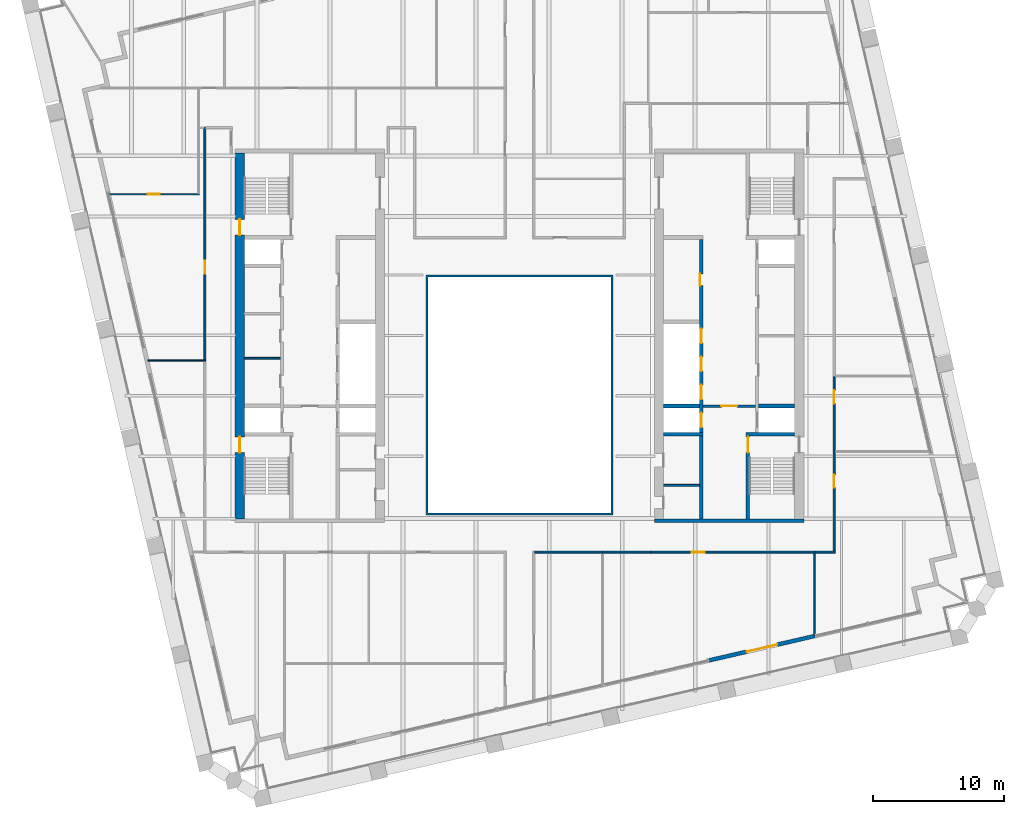
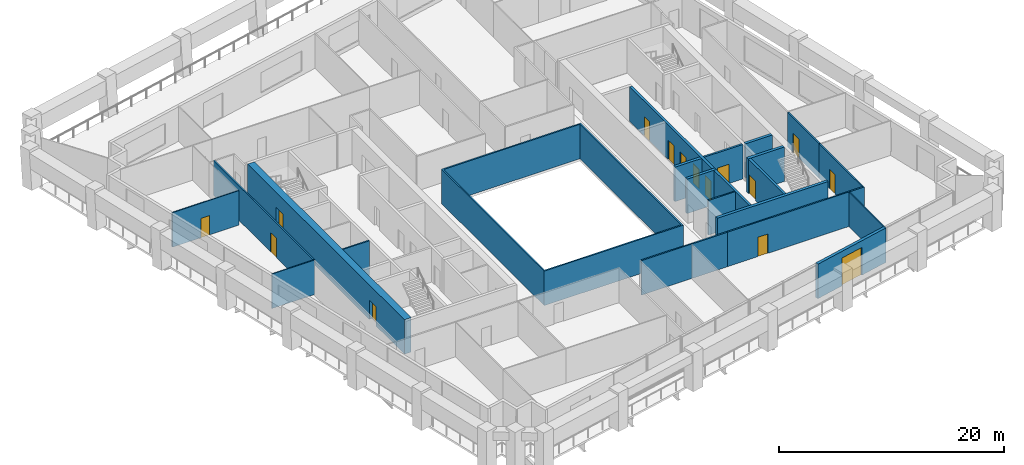
# One storey, part 8 of 14: 23 walls, 15 doors, 15 openings.
"""IFC4 building model written with IfcOpenShell, lengths in metres."""

from ifc_helpers import new_model, si_unit, direction, frame, frame_2d, origin, place, context, subcontext, project, spatial, polyline, rectangle, outline, extrude, material, layer, layer_set, type_object, element, fill, save


model = new_model("IFC4")

# Units and contexts
model_context = context("Model", 3, precision=1e-05, world=origin(), true_north=direction((0.0, 1.0)))
body_context = subcontext(model_context, "Body", "Model", "MODEL_VIEW")
ifc_project = project(units=[si_unit("LENGTHUNIT", "METRE"), si_unit("AREAUNIT", "SQUARE_METRE"), si_unit("VOLUMEUNIT", "CUBIC_METRE"), si_unit("PLANEANGLEUNIT", "RADIAN"), si_unit("MASSUNIT", "GRAM", prefix="KILO")], contexts=[model_context])

# Site, building, storey
site_placement = place(None, origin())
site = spatial("IfcSite", under=ifc_project, at=site_placement, CompositionType="ELEMENT")
building_placement = place(site_placement, origin())
building = spatial("IfcBuilding", under=site, at=building_placement, Name="Ogive Exchange Tower", CompositionType="ELEMENT")
storey_placement = place(building_placement, frame((0.0, 0.0, 222.0)))
storey = spatial("IfcBuildingStorey", under=building, at=storey_placement, Name="L49", CompositionType="ELEMENT", Elevation=222.0)

# Walls
ifc_material_1 = material(Name="Gypsum board partition")
ifc_layer_1 = layer(ifc_material_1, 0.14990234375)
ifc_layer_set_1 = layer_set([ifc_layer_1], Name="Core room partition 150 gypsum")
wall_type_1 = type_object("IfcWallType", Name="Core room partition 150 gypsum", PredefinedType="PARTITIONING", material=ifc_layer_set_1)
for number, where, z_axis, x_axis, name in (
    (1, (-21.0, 9.800048828125, 0.0), (0.0, 0.0, 1.0), (1.0, 0.0, 0.0), "W row A bay partition 1-1"),
    (2, (11.0, 0.10009765625, 0.0), (0.0, 0.0, 1.0), (1.0, 0.0, 0.0), "E south room partition"),
):
    element("IfcWall", number, at=place(storey_placement, frame(where, z_axis=z_axis, x_axis=x_axis)), inside=storey, type_object=wall_type_1, Name=name, PredefinedType="PARTITIONING", context=body_context, shape_type="SweptSolid", body=[
        extrude(rectangle(XDim=2.75, YDim=0.14990234375, at=frame_2d((1.375, 0.0))), origin(), (0.0, 0.0, 1.0), 3.75),
    ])

# Wall, opening, door
ifc_material_2 = material(Name="Fire partition EI 60 150")
ifc_layer_2 = layer(ifc_material_2, 0.14990234375)
ifc_layer_set_2 = layer_set([ifc_layer_2], Name="Fire partition EI 60 150")
wall_type_2 = type_object("IfcWallType", Name="Fire partition EI 60 150", PredefinedType="PARTITIONING", material=ifc_layer_set_2)
wall_1_placement = place(storey_placement, frame((-24.0, 9.669921875, 0.0), z_axis=(0.0, 0.0, 1.0), x_axis=(0.0, 1.0, 0.0)))
wall_1 = element("IfcWall", 3, at=wall_1_placement, inside=storey, type_object=wall_type_2, Name="L49-PWL-008", PredefinedType="PARTITIONING", context=body_context, shape_type="SweptSolid", body=[
    extrude(rectangle(XDim=17.77001953125, YDim=0.14990234375, at=frame_2d((8.885009765625, 0.0))), origin(), (0.0, 0.0, 1.0), 3.75),
])
opening_1_placement = place(wall_1_placement, frame((6.570068359375, 0.0, 0.0)))
opening_1 = element("IfcOpeningElement", 4, at=opening_1_placement, cuts=wall_1, Name="Opening L49-I07", PredefinedType="OPENING", context=body_context, shape_type="SweptSolid", body=[
    extrude(rectangle(XDim=1.0, YDim=2.10009765625, at=frame_2d((0.5, 1.050048828125))), frame((0.0, 0.0849609375, 0.0), z_axis=(0.0, -1.0, 0.0), x_axis=(1.0, 0.0, 0.0)), (0.0, 0.0, 1.0), 0.169921875),
])
ifc_material_3 = material(Name="Fire door FD 30S 1000 x 2100")
door_type_1 = type_object("IfcDoorType", Name="Fire door FD 30S 1000 x 2100", OperationType="NOTDEFINED", PredefinedType="DOOR", material=ifc_material_3)
door_1_placement = place(opening_1_placement, origin())
door_1 = element("IfcDoor", 5, at=door_1_placement, inside=storey, type_object=door_type_1, Name="L49-IDR-007", ObjectType="DT3", OperationType="SINGLE_SWING_LEFT", OverallHeight=2.10009765625, OverallWidth=1.0, PredefinedType="DOOR", context=body_context, shape_type="SweptSolid", body=[
    extrude(rectangle(XDim=1.0, YDim=2.10009765625, at=frame_2d((0.5, 1.050048828125))), frame((0.0, 0.02490234375, 0.0), z_axis=(0.0, -1.0, 0.0), x_axis=(1.0, 0.0, 0.0)), (0.0, 0.0, 1.0), 0.050048828125),
])
fill(opening_1, door_1)

# Walls
wall_2_placement = place(storey_placement, frame((6.389892578125, -5.0, 0.0), z_axis=(0.0, 0.0, 1.0), x_axis=(-1.0, 0.0, 0.0)))
element("IfcWall", 6, at=wall_2_placement, inside=storey, type_object=wall_type_2, Name="L49-PWL-041", PredefinedType="PARTITIONING", context=body_context, shape_type="SweptSolid", body=[
    extrude(rectangle(XDim=5.21484375, YDim=0.14990234375, at=frame_2d((2.607421875, 0.0))), origin(), (0.0, 0.0, 1.0), 3.75),
])
wall_3_placement = place(storey_placement, frame((10.0, -5.0, 0.0), z_axis=(0.0, 0.0, 1.0), x_axis=(-1.0, 0.0, 0.0)))
element("IfcWall", 7, at=wall_3_placement, inside=storey, type_object=wall_type_2, Name="L49-PWL-052", PredefinedType="PARTITIONING", context=body_context, shape_type="SweptSolid", body=[
    extrude(rectangle(XDim=3.659912109375, YDim=0.14990234375, at=frame_2d((1.830078125, 0.0))), origin(), (0.0, 0.0, 1.0), 3.75),
])

# Wall, opening, door
wall_4_placement = place(storey_placement, frame((22.570068359375, -5.0, 0.0), z_axis=(0.0, 0.0, 1.0), x_axis=(-1.0, 0.0, 0.0)))
wall_4 = element("IfcWall", 8, at=wall_4_placement, inside=storey, type_object=wall_type_2, Name="L49-PWL-059", PredefinedType="PARTITIONING", context=body_context, shape_type="SweptSolid", body=[
    extrude(rectangle(XDim=12.570068359375, YDim=0.14990234375, at=frame_2d((6.28515625, 0.0))), origin(), (0.0, 0.0, 1.0), 3.75),
])
opening_2_placement = place(wall_4_placement, frame((8.419921875, 0.0, 0.0)))
opening_2 = element("IfcOpeningElement", 9, at=opening_2_placement, cuts=wall_4, Name="Opening L49-I18", PredefinedType="OPENING", context=body_context, shape_type="SweptSolid", body=[
    extrude(rectangle(XDim=1.0, YDim=2.10009765625, at=frame_2d((0.5, 1.050048828125))), frame((0.0, 0.0849609375, 0.0), z_axis=(0.0, -1.0, 0.0), x_axis=(1.0, 0.0, 0.0)), (0.0, 0.0, 1.0), 0.169921875),
])
door_2_placement = place(opening_2_placement, origin())
door_2 = element("IfcDoor", 10, at=door_2_placement, inside=storey, type_object=door_type_1, Name="L49-IDR-018", ObjectType="DT3", OperationType="SINGLE_SWING_LEFT", OverallHeight=2.10009765625, OverallWidth=1.0, PredefinedType="DOOR", context=body_context, shape_type="SweptSolid", body=[
    extrude(rectangle(XDim=1.0, YDim=2.10009765625, at=frame_2d((0.5, 1.050048828125))), frame((0.0, 0.02490234375, 0.0), z_axis=(0.0, -1.0, 0.0), x_axis=(1.0, 0.0, 0.0)), (0.0, 0.0, 1.0), 0.050048828125),
])
fill(opening_2, door_2)

# Wall
wall_5_placement = place(storey_placement, frame((24.074951171875, -5.0, 0.0), z_axis=(0.0, 0.0, 1.0), x_axis=(-1.0, 0.0, 0.0)))
element("IfcWall", 11, at=wall_5_placement, inside=storey, type_object=wall_type_2, Name="L49-PWL-061", PredefinedType="PARTITIONING", context=body_context, shape_type="SweptSolid", body=[
    extrude(rectangle(XDim=1.5048828125, YDim=0.14990234375, at=frame_2d((0.75244140625, 0.0))), origin(), (0.0, 0.0, 1.0), 3.75),
])

# Wall, opening, door
wall_6_placement = place(storey_placement, frame((24.0, 2.739990234375, 0.0), z_axis=(0.0, 0.0, 1.0), x_axis=(0.0, -1.0, 0.0)))
wall_6 = element("IfcWall", 12, at=wall_6_placement, inside=storey, type_object=wall_type_2, Name="L49-PWL-062", PredefinedType="PARTITIONING", context=body_context, shape_type="SweptSolid", body=[
    extrude(rectangle(XDim=7.6650390625, YDim=0.14990234375, at=frame_2d((3.83251953125, 0.0))), origin(), (0.0, 0.0, 1.0), 3.75),
])
opening_3_placement = place(wall_6_placement, frame((1.840087890625, 0.0, 0.0)))
opening_3 = element("IfcOpeningElement", 13, at=opening_3_placement, cuts=wall_6, Name="Opening L49-I19", PredefinedType="OPENING", context=body_context, shape_type="SweptSolid", body=[
    extrude(rectangle(XDim=1.0, YDim=2.10009765625, at=frame_2d((0.5, 1.050048828125))), frame((0.0, 0.0849609375, 0.0), z_axis=(0.0, -1.0, 0.0), x_axis=(1.0, 0.0, 0.0)), (0.0, 0.0, 1.0), 0.169921875),
])
door_3_placement = place(opening_3_placement, origin())
door_3 = element("IfcDoor", 14, at=door_3_placement, inside=storey, type_object=door_type_1, Name="L49-IDR-019", ObjectType="DT3", OperationType="SINGLE_SWING_RIGHT", OverallHeight=2.10009765625, OverallWidth=1.0, PredefinedType="DOOR", context=body_context, shape_type="SweptSolid", body=[
    extrude(rectangle(XDim=1.0, YDim=2.10009765625, at=frame_2d((0.5, 1.050048828125))), frame((0.0, 0.02490234375, 0.0), z_axis=(0.0, -1.0, 0.0), x_axis=(1.0, 0.0, 0.0)), (0.0, 0.0, 1.0), 0.050048828125),
])
fill(opening_3, door_3)

wall_7_placement = place(storey_placement, frame((24.0, 8.39990234375, 0.0), z_axis=(0.0, 0.0, 1.0), x_axis=(0.0, -1.0, 0.0)))
wall_7 = element("IfcWall", 15, at=wall_7_placement, inside=storey, type_object=wall_type_2, Name="L49-PWL-063", PredefinedType="PARTITIONING", context=body_context, shape_type="SweptSolid", body=[
    extrude(rectangle(XDim=5.659912109375, YDim=0.14990234375, at=frame_2d((2.830078125, 0.0))), origin(), (0.0, 0.0, 1.0), 3.75),
])
opening_4_placement = place(wall_7_placement, frame((1.06005859375, 0.0, 0.0)))
opening_4 = element("IfcOpeningElement", 16, at=opening_4_placement, cuts=wall_7, Name="Opening L49-I16", PredefinedType="OPENING", context=body_context, shape_type="SweptSolid", body=[
    extrude(rectangle(XDim=1.0, YDim=2.10009765625, at=frame_2d((0.5, 1.050048828125))), frame((0.0, 0.0849609375, 0.0), z_axis=(0.0, -1.0, 0.0), x_axis=(1.0, 0.0, 0.0)), (0.0, 0.0, 1.0), 0.169921875),
])
door_4_placement = place(opening_4_placement, origin())
door_4 = element("IfcDoor", 17, at=door_4_placement, inside=storey, type_object=door_type_1, Name="L49-IDR-016", ObjectType="DT3", OperationType="SINGLE_SWING_RIGHT", OverallHeight=2.10009765625, OverallWidth=1.0, PredefinedType="DOOR", context=body_context, shape_type="SweptSolid", body=[
    extrude(rectangle(XDim=1.0, YDim=2.10009765625, at=frame_2d((0.5, 1.050048828125))), frame((0.0, 0.02490234375, 0.0), z_axis=(0.0, -1.0, 0.0), x_axis=(1.0, 0.0, 0.0)), (0.0, 0.0, 1.0), 0.050048828125),
])
fill(opening_4, door_4)

# Wall
ifc_material_4 = material(Name="Fire-resisting glass in steel frame", Category="steel")
ifc_layer_3 = layer(ifc_material_4, 0.14990234375)
ifc_layer_set_3 = layer_set([ifc_layer_3], Name="Fire-rated glazed wall 150")
wall_type_3 = type_object("IfcWallType", Name="Fire-rated glazed wall 150", PredefinedType="STANDARD", material=ifc_layer_set_3)
wall_8_placement = place(storey_placement, origin())
element("IfcWall", 18, at=wall_8_placement, inside=storey, type_object=wall_type_3, Name="Nave enclosure wall", PredefinedType="STANDARD", context=body_context, shape_type="SweptSolid", body=[
    extrude(outline(polyline([(-7.14990234375, -2.14990234375), (7.14990234375, -2.14990234375), (7.14990234375, 16.14990234375), (-7.14990234375, 16.14990234375), (-7.14990234375, -2.14990234375)]), holes=[polyline([(-7.0, -2.0), (-7.0, 16.0), (7.0, 16.0), (7.0, -2.0), (-7.0, -2.0)])]), origin(), (0.0, 0.0, 1.0), 3.75),
])

# Wall, opening, door
ifc_material_5 = material(Name="Precast concrete C40/50", Category="concrete")
ifc_layer_4 = layer(ifc_material_5, 0.300048828125)
ifc_layer_set_4 = layer_set([ifc_layer_4], Name="Limestone-faced wall 300")
wall_type_4 = type_object("IfcWallType", Name="Limestone-faced wall 300", PredefinedType="STANDARD", material=ifc_layer_set_4)
wall_9_placement = place(storey_placement, frame((14.464599609375, -13.25634765625, 0.0), z_axis=(0.0, 0.0, 1.0), x_axis=(0.974368386566, 0.224958323385, 0.0)))
wall_9 = element("IfcWall", 19, at=wall_9_placement, inside=storey, type_object=wall_type_4, Name="External wall S2", PredefinedType="STANDARD", context=body_context, shape_type="SweptSolid", body=[
    extrude(rectangle(XDim=8.300048828125, YDim=0.300048828125, at=frame_2d((4.14990234375, 0.0))), origin(), (0.0, 0.0, 1.0), 3.75),
])
opening_5_placement = place(wall_9_placement, frame((2.949951171875, 0.0, 0.0)))
opening_5 = element("IfcOpeningElement", 20, at=opening_5_placement, cuts=wall_9, Name="Opening D1M", PredefinedType="OPENING", context=body_context, shape_type="SweptSolid", body=[
    extrude(rectangle(XDim=2.39990234375, YDim=3.02490234375, at=frame_2d((1.199951171875, 1.512451171875))), frame((0.0, 0.159912109375, 0.0), z_axis=(0.0, -1.0, 0.0), x_axis=(1.0, 0.0, 0.0)), (0.0, 0.0, 1.0), 0.320068359375),
])
ifc_material_6 = material(Name="Clear glass in bronze frame", Category="glass")
door_type_2 = type_object("IfcDoorType", Name="Sliding loggia door 2400 x 3025", OperationType="DOUBLE_DOOR_SLIDING", PredefinedType="DOOR", material=ifc_material_6)
door_5_placement = place(opening_5_placement, origin())
door_5 = element("IfcDoor", 21, at=door_5_placement, inside=storey, type_object=door_type_2, Name="Loggia door S04", OperationType="DOUBLE_DOOR_SLIDING", OverallHeight=3.02490234375, OverallWidth=2.39990234375, PredefinedType="DOOR", context=body_context, shape_type="SweptSolid", body=[
    extrude(rectangle(XDim=2.39990234375, YDim=3.02490234375, at=frame_2d((1.199951171875, 1.512451171875))), frame((0.0, 0.02490234375, 0.0), z_axis=(0.0, -1.0, 0.0), x_axis=(1.0, 0.0, 0.0)), (0.0, 0.0, 1.0), 0.050048828125),
])
fill(opening_5, door_5)

ifc_material_7 = material(Name="Partition 100 gypsum")
ifc_layer_5 = layer(ifc_material_7, 0.10009765625)
ifc_layer_set_5 = layer_set([ifc_layer_5], Name="Partition 100 gypsum")
wall_type_5 = type_object("IfcWallType", Name="Partition 100 gypsum", PredefinedType="PARTITIONING", material=ifc_layer_set_5)
wall_10_placement = place(storey_placement, frame((-31.2890625, 22.31005859375, 0.0), z_axis=(0.0, 0.0, 1.0), x_axis=(1.0, 0.0, 0.0)))
wall_10 = element("IfcWall", 22, at=wall_10_placement, inside=storey, type_object=wall_type_5, Name="L49-PWL-001", PredefinedType="PARTITIONING", context=body_context, shape_type="SweptSolid", body=[
    extrude(rectangle(XDim=6.839111328125, YDim=0.10009765625, at=frame_2d((3.41943359375, 0.0))), origin(), (0.0, 0.0, 1.0), 3.75),
])
opening_6_placement = place(wall_10_placement, frame((2.93896484375, 0.0, 0.0)))
opening_6 = element("IfcOpeningElement", 23, at=opening_6_placement, cuts=wall_10, Name="Opening L49-I08", PredefinedType="OPENING", context=body_context, shape_type="SweptSolid", body=[
    extrude(rectangle(XDim=0.89990234375, YDim=2.10009765625, at=frame_2d((0.449951171875, 1.050048828125))), frame((0.0, 0.06005859375, 0.0), z_axis=(0.0, -1.0, 0.0), x_axis=(1.0, 0.0, 0.0)), (0.0, 0.0, 1.0), 0.1201171875),
])
ifc_material_8 = material(Name="Door 900 x 2100")
door_type_3 = type_object("IfcDoorType", Name="Door 900 x 2100", OperationType="NOTDEFINED", PredefinedType="DOOR", material=ifc_material_8)
door_6_placement = place(opening_6_placement, origin())
door_6 = element("IfcDoor", 24, at=door_6_placement, inside=storey, type_object=door_type_3, Name="L49-IDR-008", ObjectType="DT1", OperationType="SINGLE_SWING_RIGHT", OverallHeight=2.10009765625, OverallWidth=0.89990234375, PredefinedType="DOOR", context=body_context, shape_type="SweptSolid", body=[
    extrude(rectangle(XDim=0.89990234375, YDim=2.10009765625, at=frame_2d((0.449951171875, 1.050048828125))), frame((0.0, 0.02490234375, 0.0), z_axis=(0.0, -1.0, 0.0), x_axis=(1.0, 0.0, 0.0)), (0.0, 0.0, 1.0), 0.050048828125),
])
fill(opening_6, door_6)

# Walls
wall_11_placement = place(storey_placement, frame((-28.360107421875, 9.6201171875, 0.0), z_axis=(0.0, 0.0, 1.0), x_axis=(1.0, 0.0, 0.0)))
element("IfcWall", 25, at=wall_11_placement, inside=storey, type_object=wall_type_5, Name="L49-PWL-002", PredefinedType="PARTITIONING", context=body_context, shape_type="SweptSolid", body=[
    extrude(rectangle(XDim=4.43505859375, YDim=0.10009765625, at=frame_2d((2.217529296875, 0.0))), origin(), (0.0, 0.0, 1.0), 3.75),
])
wall_12_placement = place(storey_placement, frame((22.52001953125, -5.074951171875, 0.0), z_axis=(0.0, 0.0, 1.0), x_axis=(0.0, -1.0, 0.0)))
element("IfcWall", 26, at=wall_12_placement, inside=storey, type_object=wall_type_5, Name="L49-PWL-060", PredefinedType="PARTITIONING", context=body_context, shape_type="SweptSolid", body=[
    extrude(rectangle(XDim=6.25, YDim=0.10009765625, at=frame_2d((3.125, 0.0))), origin(), (0.0, 0.0, 1.0), 3.75),
])

# Wall, opening, door
ifc_material_9 = material(Name="Concrete C70/85", Category="concrete")
ifc_layer_6 = layer(ifc_material_9, 0.199951171875)
ifc_layer_set_6 = layer_set([ifc_layer_6], Name="RC core wall 200 C70/85")
wall_type_6 = type_object("IfcWallType", Name="RC core wall 200 C70/85", PredefinedType="SHEAR", material=ifc_layer_set_6)
wall_13_placement = place(storey_placement, frame((14.0, 6.142822265625, 0.0), z_axis=(0.0, 0.0, 1.0), x_axis=(1.0, 0.0, 0.0)))
wall_13 = element("IfcWall", 27, at=wall_13_placement, inside=storey, type_object=wall_type_6, Name="E firefighting lobby wall", PredefinedType="SHEAR", context=body_context, shape_type="SweptSolid", body=[
    extrude(rectangle(XDim=4.0, YDim=0.199951171875, at=frame_2d((2.0, 0.0))), origin(), (0.0, 0.0, 1.0), 3.75),
])
opening_7_placement = place(wall_13_placement, frame((1.39990234375, 0.0, 0.0)))
opening_7 = element("IfcOpeningElement", 28, at=opening_7_placement, cuts=wall_13, Name="Opening L49-C28", PredefinedType="OPENING", context=body_context, shape_type="SweptSolid", body=[
    extrude(rectangle(XDim=1.199951171875, YDim=2.10009765625, at=frame_2d((0.60009765625, 1.050048828125))), frame((0.0, 0.10986328125, 0.0), z_axis=(0.0, -1.0, 0.0), x_axis=(1.0, 0.0, 0.0)), (0.0, 0.0, 1.0), 0.219970703125),
])
ifc_material_10 = material(Name="Steel fire door", Category="steel")
door_type_4 = type_object("IfcDoorType", Name="Firefighting lobby door FD60 1200 x 2100", OperationType="NOTDEFINED", PredefinedType="DOOR", material=ifc_material_10)
door_7_placement = place(opening_7_placement, frame((1.199951171875, 0.0, 0.0), z_axis=(0.0, 0.0, 1.0), x_axis=(-1.0, 0.0, 0.0)))
door_7 = element("IfcDoor", 29, at=door_7_placement, inside=storey, type_object=door_type_4, Name="Firefighting lobby door", ObjectType="CD3", OperationType="SINGLE_SWING_LEFT", OverallHeight=2.10009765625, OverallWidth=1.199951171875, PredefinedType="DOOR", context=body_context, shape_type="SweptSolid", body=[
    extrude(rectangle(XDim=1.199951171875, YDim=2.10009765625, at=frame_2d((0.60009765625, 1.050048828125))), frame((0.0, 0.02490234375, 0.0), z_axis=(0.0, -1.0, 0.0), x_axis=(1.0, 0.0, 0.0)), (0.0, 0.0, 1.0), 0.050048828125),
])
fill(opening_7, door_7)

ifc_layer_7 = layer(ifc_material_9, 0.25)
ifc_layer_set_7 = layer_set([ifc_layer_7], Name="RC core wall 250 C70/85")
wall_type_7 = type_object("IfcWallType", Name="RC core wall 250 C70/85", PredefinedType="SHEAR", material=ifc_layer_set_7)
wall_14_placement = place(storey_placement, frame((17.425048828125, -2.449951171875, 0.0), z_axis=(0.0, 0.0, 1.0), x_axis=(0.0, 1.0, 0.0)))
wall_14 = element("IfcWall", 30, at=wall_14_placement, inside=storey, type_object=wall_type_7, Name="E stair S front wall", PredefinedType="SHEAR", context=body_context, shape_type="SweptSolid", body=[
    extrude(rectangle(XDim=6.300048828125, YDim=0.25, at=frame_2d((3.14990234375, 0.0))), origin(), (0.0, 0.0, 1.0), 3.75),
])
opening_8_placement = place(wall_14_placement, frame((5.050048828125, 0.0, 0.0)))
opening_8 = element("IfcOpeningElement", 31, at=opening_8_placement, cuts=wall_14, Name="Opening L49-C30", PredefinedType="OPENING", context=body_context, shape_type="SweptSolid", body=[
    extrude(rectangle(XDim=1.199951171875, YDim=2.10009765625, at=frame_2d((0.60009765625, 1.050048828125))), frame((0.0, 0.135009765625, 0.0), z_axis=(0.0, -1.0, 0.0), x_axis=(1.0, 0.0, 0.0)), (0.0, 0.0, 1.0), 0.27001953125),
])
door_type_5 = type_object("IfcDoorType", Name="Stair door FD90 1200 x 2100", OperationType="NOTDEFINED", PredefinedType="DOOR", material=ifc_material_10)
door_8_placement = place(opening_8_placement, frame((1.199951171875, 0.0, 0.0), z_axis=(0.0, 0.0, 1.0), x_axis=(-1.0, 0.0, 0.0)))
door_8 = element("IfcDoor", 32, at=door_8_placement, inside=storey, type_object=door_type_5, Name="Stair door", ObjectType="CD5", OperationType="SINGLE_SWING_RIGHT", OverallHeight=2.10009765625, OverallWidth=1.199951171875, PredefinedType="DOOR", context=body_context, shape_type="SweptSolid", body=[
    extrude(rectangle(XDim=1.199951171875, YDim=2.10009765625, at=frame_2d((0.60009765625, 1.050048828125))), frame((0.0, 0.02490234375, 0.0), z_axis=(0.0, -1.0, 0.0), x_axis=(1.0, 0.0, 0.0)), (0.0, 0.0, 1.0), 0.050048828125),
])
fill(opening_8, door_8)

# Wall, openings, doors
wall_15_placement = place(storey_placement, frame((13.875, -2.449951171875, 0.0), z_axis=(0.0, 0.0, 1.0), x_axis=(0.0, 1.0, 0.0)))
wall_15 = element("IfcWall", 33, at=wall_15_placement, inside=storey, type_object=wall_type_7, Name="E row B front wall", PredefinedType="SHEAR", context=body_context, shape_type="SweptSolid", body=[
    extrude(rectangle(XDim=21.300048828125, YDim=0.25, at=frame_2d((10.64990234375, 0.0))), origin(), (0.0, 0.0, 1.0), 3.75),
])
opening_9_placement = place(wall_15_placement, frame((17.78564453125, 0.0, 0.0)))
opening_9 = element("IfcOpeningElement", 34, at=opening_9_placement, cuts=wall_15, Name="Opening L49-C23", PredefinedType="OPENING", context=body_context, shape_type="SweptSolid", body=[
    extrude(rectangle(XDim=0.89990234375, YDim=2.10009765625, at=frame_2d((0.449951171875, 1.050048828125))), frame((0.0, 0.135009765625, 0.0), z_axis=(0.0, -1.0, 0.0), x_axis=(1.0, 0.0, 0.0)), (0.0, 0.0, 1.0), 0.27001953125),
])
opening_10_placement = place(wall_15_placement, frame((6.971435546875, 0.0, 0.0)))
opening_10 = element("IfcOpeningElement", 35, at=opening_10_placement, cuts=wall_15, Name="Opening L49-C24", PredefinedType="OPENING", context=body_context, shape_type="SweptSolid", body=[
    extrude(rectangle(XDim=1.10009765625, YDim=2.10009765625, at=frame_2d((0.550048828125, 1.050048828125))), frame((0.0, 0.135009765625, 0.0), z_axis=(0.0, -1.0, 0.0), x_axis=(1.0, 0.0, 0.0)), (0.0, 0.0, 1.0), 0.27001953125),
])
opening_11_placement = place(wall_15_placement, frame((9.1142578125, 0.0, 0.0)))
opening_11 = element("IfcOpeningElement", 36, at=opening_11_placement, cuts=wall_15, Name="Opening L49-C25", PredefinedType="OPENING", context=body_context, shape_type="SweptSolid", body=[
    extrude(rectangle(XDim=1.10009765625, YDim=2.10009765625, at=frame_2d((0.550048828125, 1.050048828125))), frame((0.0, 0.135009765625, 0.0), z_axis=(0.0, -1.0, 0.0), x_axis=(1.0, 0.0, 0.0)), (0.0, 0.0, 1.0), 0.27001953125),
])
opening_12_placement = place(wall_15_placement, frame((11.257080078125, 0.0, 0.0)))
opening_12 = element("IfcOpeningElement", 37, at=opening_12_placement, cuts=wall_15, Name="Opening L49-C26", PredefinedType="OPENING", context=body_context, shape_type="SweptSolid", body=[
    extrude(rectangle(XDim=1.10009765625, YDim=2.10009765625, at=frame_2d((0.550048828125, 1.050048828125))), frame((0.0, 0.135009765625, 0.0), z_axis=(0.0, -1.0, 0.0), x_axis=(1.0, 0.0, 0.0)), (0.0, 0.0, 1.0), 0.27001953125),
])
opening_13_placement = place(wall_15_placement, frame((13.39990234375, 0.0, 0.0)))
opening_13 = element("IfcOpeningElement", 38, at=opening_13_placement, cuts=wall_15, Name="Opening L49-C27", PredefinedType="OPENING", context=body_context, shape_type="SweptSolid", body=[
    extrude(rectangle(XDim=1.10009765625, YDim=2.10009765625, at=frame_2d((0.550048828125, 1.050048828125))), frame((0.0, 0.135009765625, 0.0), z_axis=(0.0, -1.0, 0.0), x_axis=(1.0, 0.0, 0.0)), (0.0, 0.0, 1.0), 0.27001953125),
])
ifc_material_11 = material(Name="Stainless steel", Category="steel")
door_type_6 = type_object("IfcDoorType", Name="Lift landing door FD90 1100 x 2100", OperationType="SLIDING_TO_LEFT", PredefinedType="DOOR", material=ifc_material_11)
door_9_placement = place(opening_10_placement, origin())
door_9 = element("IfcDoor", 39, at=door_9_placement, inside=storey, type_object=door_type_6, Name="Lift landing door SV2", ObjectType="LD", OperationType="SLIDING_TO_LEFT", OverallHeight=2.10009765625, OverallWidth=1.10009765625, PredefinedType="DOOR", context=body_context, shape_type="SweptSolid", body=[
    extrude(rectangle(XDim=1.10009765625, YDim=2.10009765625, at=frame_2d((0.550048828125, 1.050048828125))), frame((0.0, 0.02490234375, 0.0), z_axis=(0.0, -1.0, 0.0), x_axis=(1.0, 0.0, 0.0)), (0.0, 0.0, 1.0), 0.050048828125),
])
fill(opening_10, door_9)
door_10_placement = place(opening_11_placement, origin())
door_10 = element("IfcDoor", 40, at=door_10_placement, inside=storey, type_object=door_type_6, Name="Lift landing door E-M1", ObjectType="LD", OperationType="SLIDING_TO_LEFT", OverallHeight=2.10009765625, OverallWidth=1.10009765625, PredefinedType="DOOR", context=body_context, shape_type="SweptSolid", body=[
    extrude(rectangle(XDim=1.10009765625, YDim=2.10009765625, at=frame_2d((0.550048828125, 1.050048828125))), frame((0.0, 0.02490234375, 0.0), z_axis=(0.0, -1.0, 0.0), x_axis=(1.0, 0.0, 0.0)), (0.0, 0.0, 1.0), 0.050048828125),
])
fill(opening_11, door_10)
door_11_placement = place(opening_12_placement, origin())
door_11 = element("IfcDoor", 41, at=door_11_placement, inside=storey, type_object=door_type_6, Name="Lift landing door E-M2", ObjectType="LD", OperationType="SLIDING_TO_LEFT", OverallHeight=2.10009765625, OverallWidth=1.10009765625, PredefinedType="DOOR", context=body_context, shape_type="SweptSolid", body=[
    extrude(rectangle(XDim=1.10009765625, YDim=2.10009765625, at=frame_2d((0.550048828125, 1.050048828125))), frame((0.0, 0.02490234375, 0.0), z_axis=(0.0, -1.0, 0.0), x_axis=(1.0, 0.0, 0.0)), (0.0, 0.0, 1.0), 0.050048828125),
])
fill(opening_12, door_11)
door_12_placement = place(opening_13_placement, origin())
door_12 = element("IfcDoor", 42, at=door_12_placement, inside=storey, type_object=door_type_6, Name="Lift landing door E-M3", ObjectType="LD", OperationType="SLIDING_TO_LEFT", OverallHeight=2.10009765625, OverallWidth=1.10009765625, PredefinedType="DOOR", context=body_context, shape_type="SweptSolid", body=[
    extrude(rectangle(XDim=1.10009765625, YDim=2.10009765625, at=frame_2d((0.550048828125, 1.050048828125))), frame((0.0, 0.02490234375, 0.0), z_axis=(0.0, -1.0, 0.0), x_axis=(1.0, 0.0, 0.0)), (0.0, 0.0, 1.0), 0.050048828125),
])
fill(opening_13, door_12)
door_type_7 = type_object("IfcDoorType", Name="Riser door FD60 900 x 2100", OperationType="NOTDEFINED", PredefinedType="DOOR", material=ifc_material_10)
door_13_placement = place(opening_9_placement, origin())
door_13 = element("IfcDoor", 43, at=door_13_placement, inside=storey, type_object=door_type_7, Name="Riser door", ObjectType="CD2", OperationType="SINGLE_SWING_RIGHT", OverallHeight=2.10009765625, OverallWidth=0.89990234375, PredefinedType="DOOR", context=body_context, shape_type="SweptSolid", body=[
    extrude(rectangle(XDim=0.89990234375, YDim=2.10009765625, at=frame_2d((0.449951171875, 1.050048828125))), frame((0.0, 0.125, 0.0), z_axis=(0.0, -1.0, 0.0), x_axis=(1.0, 0.0, 0.0)), (0.0, 0.0, 1.0), 0.050048828125),
])
fill(opening_9, door_13)

# Walls
ifc_layer_8 = layer(ifc_material_9, 0.300048828125)
ifc_layer_set_8 = layer_set([ifc_layer_8], Name="RC core wall 300 C70/85")
wall_type_8 = type_object("IfcWallType", Name="RC core wall 300 C70/85", PredefinedType="SHEAR", material=ifc_layer_set_8)
wall_16_placement = place(storey_placement, frame((10.300048828125, -2.60009765625, 0.0), z_axis=(0.0, 0.0, 1.0), x_axis=(1.0, 0.0, 0.0)))
element("IfcWall", 44, at=wall_16_placement, inside=storey, type_object=wall_type_8, Name="E south end wall", PredefinedType="SHEAR", context=body_context, shape_type="SweptSolid", body=[
    extrude(rectangle(XDim=11.39990234375, YDim=0.300048828125, at=frame_2d((5.699951171875, 0.0))), origin(), (0.0, 0.0, 1.0), 3.75),
])
wall_17_placement = place(storey_placement, frame((17.300048828125, 4.0, 0.0), z_axis=(0.0, 0.0, 1.0), x_axis=(1.0, 0.0, 0.0)))
element("IfcWall", 45, at=wall_17_placement, inside=storey, type_object=wall_type_8, Name="E stair S north wall", PredefinedType="SHEAR", context=body_context, shape_type="SweptSolid", body=[
    extrude(rectangle(XDim=3.699951171875, YDim=0.300048828125, at=frame_2d((1.85009765625, 0.0))), origin(), (0.0, 0.0, 1.0), 3.75),
])
wall_18_placement = place(storey_placement, frame((18.25, 6.142822265625, 0.0), z_axis=(0.0, 0.0, 1.0), x_axis=(1.0, 0.0, 0.0)))
element("IfcWall", 46, at=wall_18_placement, inside=storey, type_object=wall_type_8, Name="E row A divider 1", PredefinedType="SHEAR", context=body_context, shape_type="SweptSolid", body=[
    extrude(rectangle(XDim=2.75, YDim=0.300048828125, at=frame_2d((1.375, 0.0))), origin(), (0.0, 0.0, 1.0), 3.75),
])
wall_19_placement = place(storey_placement, frame((11.0, 4.0, 0.0), z_axis=(0.0, 0.0, 1.0), x_axis=(1.0, 0.0, 0.0)))
element("IfcWall", 47, at=wall_19_placement, inside=storey, type_object=wall_type_8, Name="E row B divider 0", PredefinedType="SHEAR", context=body_context, shape_type="SweptSolid", body=[
    extrude(rectangle(XDim=3.0, YDim=0.300048828125, at=frame_2d((1.5, 0.0))), origin(), (0.0, 0.0, 1.0), 3.75),
])
wall_20_placement = place(storey_placement, frame((11.0, 6.142822265625, 0.0), z_axis=(0.0, 0.0, 1.0), x_axis=(1.0, 0.0, 0.0)))
element("IfcWall", 48, at=wall_20_placement, inside=storey, type_object=wall_type_8, Name="E row B divider 1", PredefinedType="SHEAR", context=body_context, shape_type="SweptSolid", body=[
    extrude(rectangle(XDim=2.75, YDim=0.300048828125, at=frame_2d((1.375, 0.0))), origin(), (0.0, 0.0, 1.0), 3.75),
])

# Wall, openings, doors
ifc_layer_9 = layer(ifc_material_9, 0.699951171875)
ifc_layer_set_9 = layer_set([ifc_layer_9], Name="RC core wall 700 C70/85")
wall_type_9 = type_object("IfcWallType", Name="RC core wall 700 C70/85", PredefinedType="SHEAR", material=ifc_layer_set_9)
wall_21_placement = place(storey_placement, frame((-21.35009765625, -2.449951171875, 0.0), z_axis=(0.0, 0.0, 1.0), x_axis=(0.0, 1.0, 0.0)))
wall_21 = element("IfcWall", 49, at=wall_21_placement, inside=storey, type_object=wall_type_9, Name="W outer wall", PredefinedType="SHEAR", context=body_context, shape_type="SweptSolid", body=[
    extrude(rectangle(XDim=27.89990234375, YDim=0.699951171875, at=frame_2d((13.949951171875, 0.0))), origin(), (0.0, 0.0, 1.0), 3.75),
])
opening_14_placement = place(wall_21_placement, frame((5.050048828125, 0.0, 0.0)))
opening_14 = element("IfcOpeningElement", 50, at=opening_14_placement, cuts=wall_21, Name="Opening L49-C14", PredefinedType="OPENING", context=body_context, shape_type="SweptSolid", body=[
    extrude(rectangle(XDim=1.199951171875, YDim=2.10009765625, at=frame_2d((0.60009765625, 1.050048828125))), frame((0.0, 0.35986328125, 0.0), z_axis=(0.0, -1.0, 0.0), x_axis=(1.0, 0.0, 0.0)), (0.0, 0.0, 1.0), 0.719970703125),
])
opening_15_placement = place(wall_21_placement, frame((21.64990234375, 0.0, 0.0)))
opening_15 = element("IfcOpeningElement", 51, at=opening_15_placement, cuts=wall_21, Name="Opening L49-C16", PredefinedType="OPENING", context=body_context, shape_type="SweptSolid", body=[
    extrude(rectangle(XDim=1.199951171875, YDim=2.10009765625, at=frame_2d((0.60009765625, 1.050048828125))), frame((0.0, 0.35986328125, 0.0), z_axis=(0.0, -1.0, 0.0), x_axis=(1.0, 0.0, 0.0)), (0.0, 0.0, 1.0), 0.719970703125),
])
door_14_placement = place(opening_14_placement, frame((1.199951171875, 0.0, 0.0), z_axis=(0.0, 0.0, 1.0), x_axis=(-1.0, 0.0, 0.0)))
door_14 = element("IfcDoor", 52, at=door_14_placement, inside=storey, type_object=door_type_5, Name="Stair door", ObjectType="CD5", OperationType="SINGLE_SWING_RIGHT", OverallHeight=2.10009765625, OverallWidth=1.199951171875, PredefinedType="DOOR", context=body_context, shape_type="SweptSolid", body=[
    extrude(rectangle(XDim=1.199951171875, YDim=2.10009765625, at=frame_2d((0.60009765625, 1.050048828125))), frame((0.0, 0.02490234375, 0.0), z_axis=(0.0, -1.0, 0.0), x_axis=(1.0, 0.0, 0.0)), (0.0, 0.0, 1.0), 0.050048828125),
])
fill(opening_14, door_14)
door_15_placement = place(opening_15_placement, frame((1.199951171875, 0.0, 0.0), z_axis=(0.0, 0.0, 1.0), x_axis=(-1.0, 0.0, 0.0)))
door_15 = element("IfcDoor", 53, at=door_15_placement, inside=storey, type_object=door_type_5, Name="Stair door", ObjectType="CD5", OperationType="SINGLE_SWING_LEFT", OverallHeight=2.10009765625, OverallWidth=1.199951171875, PredefinedType="DOOR", context=body_context, shape_type="SweptSolid", body=[
    extrude(rectangle(XDim=1.199951171875, YDim=2.10009765625, at=frame_2d((0.60009765625, 1.050048828125))), frame((0.0, 0.02490234375, 0.0), z_axis=(0.0, -1.0, 0.0), x_axis=(1.0, 0.0, 0.0)), (0.0, 0.0, 1.0), 0.050048828125),
])
fill(opening_15, door_15)

save(model, "model.ifc")
